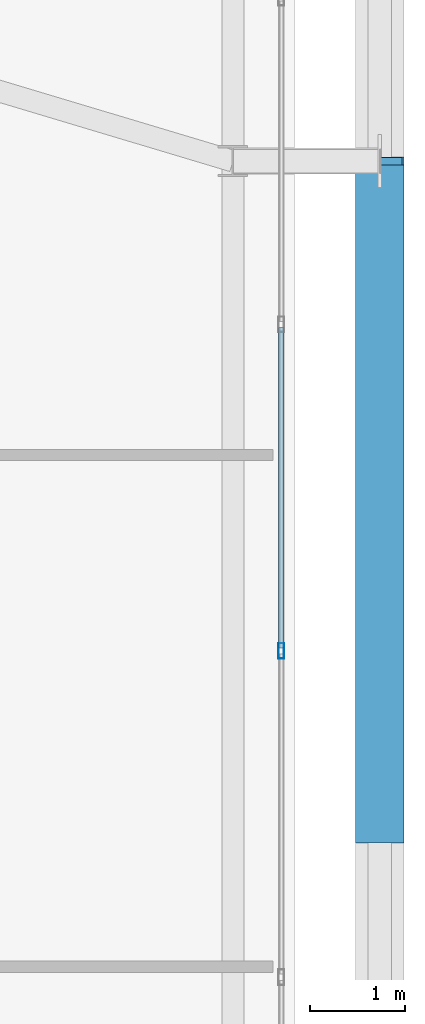
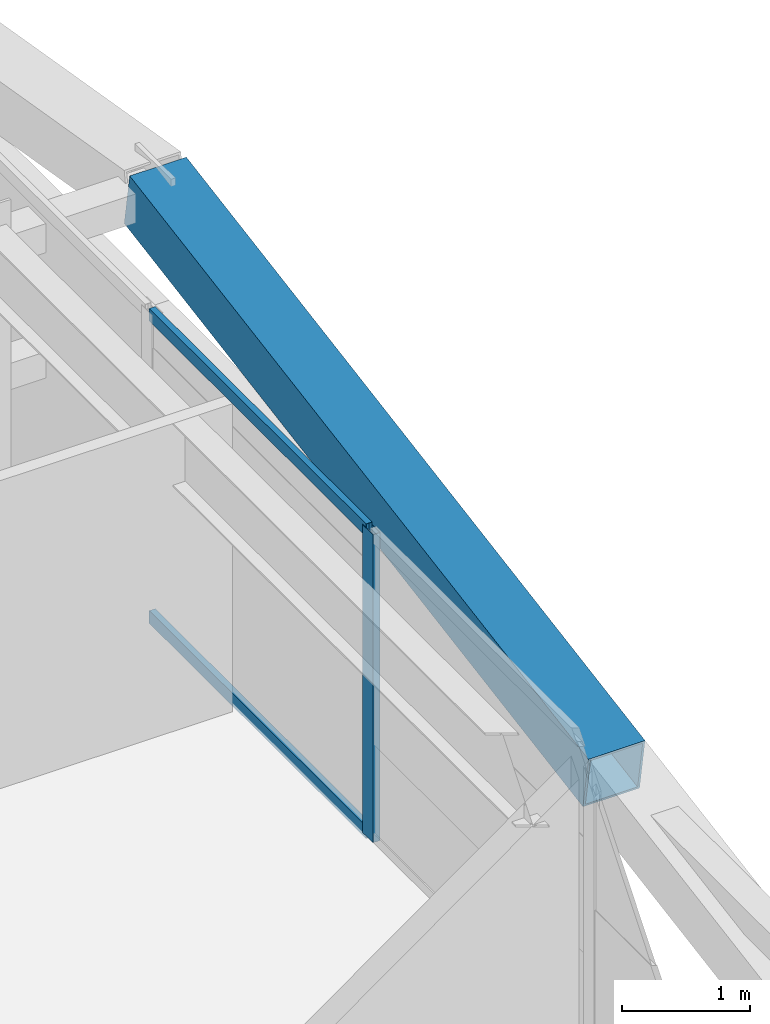
# One storey, part 28 of 58: 4 members, 1 element without a shape of its own.
"""IFC4 building model written with IfcOpenShell, lengths in metres."""

from ifc_helpers import new_model, si_unit, direction, frame, origin, origin_2d, place, context, subcontext, project, spatial, hollow_rectangle, extrude, source, transform, mapped, material, layer, layer_set, material_profile, profile_set, type_object, element, aggregate, save


model = new_model("IFC4")

# Units and contexts
model_context = context("Model", 3, precision=1e-05, world=origin(), true_north=direction((0.0, 1.0)))
body_context = subcontext(model_context, "Body", "Model", "MODEL_VIEW")
ifc_project = project(units=[si_unit("LENGTHUNIT", "METRE"), si_unit("AREAUNIT", "SQUARE_METRE"), si_unit("VOLUMEUNIT", "CUBIC_METRE"), si_unit("PLANEANGLEUNIT", "RADIAN"), si_unit("MASSUNIT", "GRAM", prefix="KILO")], contexts=[model_context])

# Site, building, storey
site_placement = place(None, origin())
site = spatial("IfcSite", under=ifc_project, at=site_placement, CompositionType="ELEMENT")
building_placement = place(site_placement, origin())
building = spatial("IfcBuilding", under=site, at=building_placement, Name="Taldren Reach Tower", CompositionType="ELEMENT")
storey_placement = place(building_placement, frame((0.0, 0.0, 54.60009765625)))
storey = spatial("IfcBuildingStorey", under=building, at=storey_placement, Name="L16", CompositionType="ELEMENT", Elevation=54.60009765625)

# Member
ifc_material_1 = material(Name="Steel Gr 450 (C450L0)", Category="steel")
ifc_material_profile_1 = material_profile(ifc_material_1, hollow_rectangle(XDim=0.510009765625, YDim=0.510009765625, WallThickness=0.02001953125, at=origin_2d()), Name="510x510x20.0SHS")
ifc_profile_set_1 = profile_set([ifc_material_profile_1], Name="Steel Gr 450 (C450L0)")
member_type_1 = type_object("IfcMemberType", Name="MB-EXO508", PredefinedType="BRACE", material=ifc_profile_set_1)
shared_shape_1 = source(origin(), body_context, "Body", "SweptSolid", [
    extrude(hollow_rectangle(XDim=0.510009765625, YDim=0.510009765625, WallThickness=0.02001953125, at=origin_2d()), origin(), (0.0, 0.0, 1.0), 7.25244140625),
])
member_1_placement = place(storey_placement, frame((65.89990234375, 12.85009765625, 1.434814453125), z_axis=(0.0, 0.985864855729, 0.167542490848), x_axis=(-1.0, 0.0, 0.0)))
element("IfcMember", 1, at=member_1_placement, inside=storey, type_object=member_type_1, Name="Exoskeleton Diagrid Brace B1-E1 L16", PredefinedType="BRACE", context=body_context, shape_type="MappedRepresentation", body=[
    mapped(shared_shape_1, transform((0.0, 0.0, 0.0), scale=1.0)),
])

# Curtain wall, members
ifc_material_2 = material(Name="Aluminium and Low-E Glass Unitised System", Category="aluminium")
ifc_layer = layer(ifc_material_2, 0.159912109375)
ifc_layer_set = layer_set([ifc_layer], Name="Aluminium and Low-E Glass Unitised System")
curtain_wall_type = type_object("IfcCurtainWallType", Name="CW-SYS-2", PredefinedType="NOTDEFINED", material=ifc_layer_set)
curtain_wall_placement = place(storey_placement, origin())
curtain_wall = element("IfcCurtainWall", 2, at=curtain_wall_placement, inside=storey, type_object=curtain_wall_type, Name="Unitised curtain wall CW-L16-E", PredefinedType="NOTDEFINED")
ifc_material_3 = material(Name="Anodised Aluminium 6063-T6", Category="aluminium")
ifc_material_profile_2 = material_profile(ifc_material_3, hollow_rectangle(XDim=0.06494140625, YDim=0.1650390625, WallThickness=0.00390625, at=origin_2d()), Name="ALU-165x65x4RHS")
ifc_profile_set_2 = profile_set([ifc_material_profile_2], Name="Anodised Aluminium 6063-T6")
member_type_2 = type_object("IfcMemberType", Name="CW-MUL-165", PredefinedType="MULLION", material=ifc_profile_set_2)
shared_shape_2 = source(origin(), body_context, "Body", "SweptSolid", [
    extrude(hollow_rectangle(XDim=0.06494140625, YDim=0.1650390625, WallThickness=0.00390625, at=origin_2d()), origin(), (0.0, 0.0, 1.0), 2.929931640625),
])
member_2_placement = place(storey_placement, frame((64.860107421875, 14.833251953125, 0.0), z_axis=(0.0, 0.0, 1.0), x_axis=(-1.0, 0.0, 0.0)))
member_2 = element("IfcMember", 3, at=member_2_placement, type_object=member_type_2, Name="CW-2 mullion 4", PredefinedType="MULLION", context=body_context, shape_type="MappedRepresentation", body=[
    mapped(shared_shape_2, transform((0.0, 0.0, 0.0), scale=1.0)),
])
ifc_material_profile_3 = material_profile(ifc_material_3, hollow_rectangle(XDim=0.054931640625, YDim=0.1201171875, WallThickness=0.0029296875, at=origin_2d()), Name="ALU-120x55x3RHS")
ifc_profile_set_3 = profile_set([ifc_material_profile_3], Name="Anodised Aluminium 6063-T6")
member_type_3 = type_object("IfcMemberType", Name="CW-TRN-135", PredefinedType="USERDEFINED", material=ifc_profile_set_3)
shared_shape_3 = source(origin(), body_context, "Body", "SweptSolid", [
    extrude(hollow_rectangle(XDim=0.054931640625, YDim=0.1201171875, WallThickness=0.0029296875, at=origin_2d()), origin(), (0.0, 0.0, 1.0), 3.379638671875),
])
member_3_placement = place(storey_placement, frame((64.860107421875, 14.86572265625, 0.02734375), z_axis=(0.0, 1.0, 0.0), x_axis=(-1.0, 0.0, 0.0)))
member_3 = element("IfcMember", 4, at=member_3_placement, type_object=member_type_3, Name="CW-2 transom 4.1", ObjectType="TRANSOM", PredefinedType="USERDEFINED", context=body_context, shape_type="MappedRepresentation", body=[
    mapped(shared_shape_3, transform((0.0, 0.0, 0.0), scale=1.0)),
])
member_4_placement = place(storey_placement, frame((64.860107421875, 14.86572265625, 2.90234375), z_axis=(0.0, 1.0, 0.0), x_axis=(-1.0, 0.0, 0.0)))
member_4 = element("IfcMember", 5, at=member_4_placement, type_object=member_type_3, Name="CW-2 transom 4.2", ObjectType="TRANSOM", PredefinedType="USERDEFINED", context=body_context, shape_type="MappedRepresentation", body=[
    mapped(shared_shape_3, transform((0.0, 0.0, 0.0), scale=1.0)),
])
aggregate(curtain_wall, [member_2, member_3, member_4])

save(model, "model.ifc")
